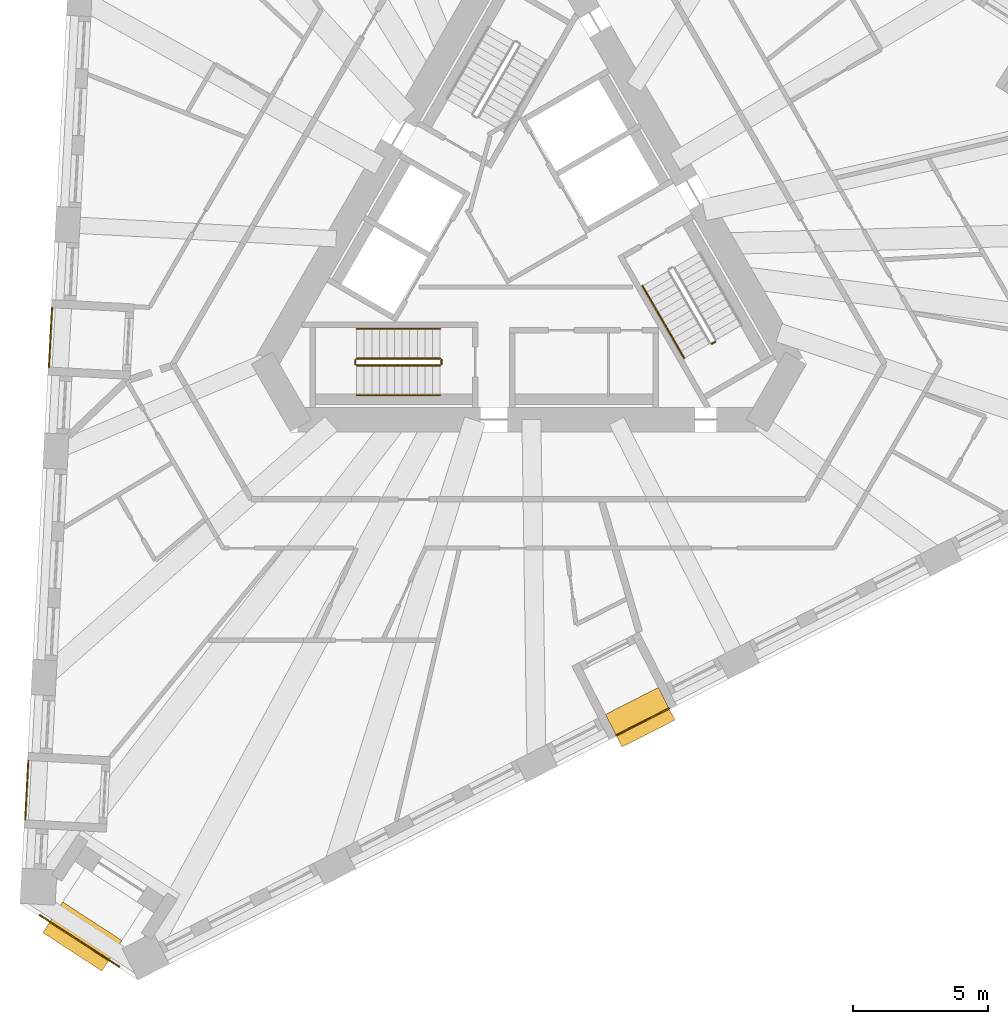
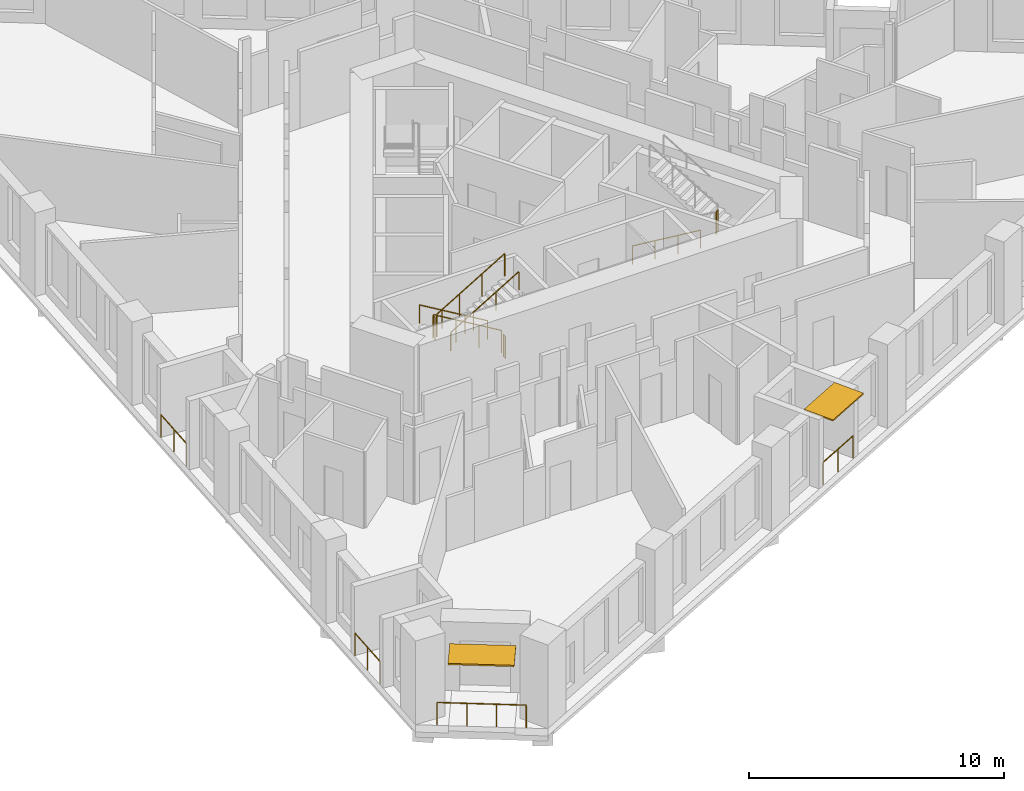
# One storey, part 10 of 13: 12 railings, 2 shading devices.
"""IFC4 building model written with IfcOpenShell, lengths in metres."""

import ifcopenshell
import ifcopenshell.guid

model = None  # the IFC model being written
_history = None  # IfcOwnerHistory: only IFC2X3 demands one
_inside = {}  # id of a spatial element -> (the spatial element, [elements in it])
_under = {}  # id of a project, library or spatial element -> (it, [spatial elements below it])
_declared = {}  # id of a project -> (the project, [libraries it declares])
_typed = {}  # id of a type object -> (the type object, [elements of that type])
_made_of = {}  # id of a material, layer set ... -> (it, [elements and type objects made of it])


def new_model(schema):
    """Start an empty IFC model of exactly this schema.

    Asked for "IFC4X3", IfcOpenShell would pick the latest addendum, in which some entities
    have other attributes; the version numbers below select the first issue.
    IFC2X3 requires an IfcOwnerHistory on every rooted entity: one is made here for all.
    """
    global model, _history
    if schema == "IFC4X3":
        model = ifcopenshell.file(schema_version=(4, 3, 0, 0))
    else:
        model = ifcopenshell.file(schema=schema)
    _inside.clear()
    _under.clear()
    _declared.clear()
    _typed.clear()
    _made_of.clear()
    _history = None
    if model.schema == "IFC2X3":
        org = make("IfcOrganization", Name="unknown")
        user = make(
            "IfcPersonAndOrganization",
            ThePerson=make("IfcPerson", FamilyName="unknown"),
            TheOrganization=org,
        )
        app = make(
            "IfcApplication",
            ApplicationDeveloper=org,
            Version="unknown",
            ApplicationFullName="unknown",
            ApplicationIdentifier="unknown",
        )
        _history = make(
            "IfcOwnerHistory",
            OwningUser=user,
            OwningApplication=app,
            ChangeAction="ADDED",
            CreationDate=0,
        )
    return model


def make(cls, **values):
    """One entity of the class cls with the attributes given. An attribute that is None is left unset."""
    return model.create_entity(
        cls, **{name: value for name, value in values.items() if value is not None}
    )


def rooted(cls, **values):
    """An entity with a GlobalId (a new one), such as an element, a storey or a relation."""
    return make(cls, GlobalId=ifcopenshell.guid.new(), OwnerHistory=_history, **values)


def si_unit(unit_type, name, prefix=None):
    """IfcSIUnit, for example si_unit("LENGTHUNIT", "METRE", prefix="MILLI")."""
    return make("IfcSIUnit", UnitType=unit_type, Prefix=prefix, Name=name)


def assignment(units):
    """IfcUnitAssignment: the units of a project."""
    return None if units is None else make("IfcUnitAssignment", Units=units)


def point(xyz):
    """IfcCartesianPoint."""
    return None if xyz is None else make("IfcCartesianPoint", Coordinates=xyz)


def direction(xyz):
    """IfcDirection."""
    return None if xyz is None else make("IfcDirection", DirectionRatios=xyz)


def frame(location, z_axis=None, x_axis=None):
    """IfcAxis2Placement3D, a coordinate frame: its origin and axes. An axis left out is left unset."""
    return make(
        "IfcAxis2Placement3D",
        Location=point(location),
        Axis=direction(z_axis),
        RefDirection=direction(x_axis),
    )


def frame_2d(location, x_axis=None):
    """IfcAxis2Placement2D, a coordinate frame in the plane: its origin and x axis."""
    return make(
        "IfcAxis2Placement2D", Location=point(location), RefDirection=direction(x_axis)
    )


def origin():
    """The frame at (0, 0, 0) with its axes left unset."""
    return frame((0.0, 0.0, 0.0))


def origin_2d():
    """The frame at (0, 0) in the plane with its x axis left unset."""
    return frame_2d((0.0, 0.0))


def place(relative_to, where):
    """IfcLocalPlacement: puts the frame where relative to a parent placement (None: the world)."""
    return make(
        "IfcLocalPlacement", PlacementRelTo=relative_to, RelativePlacement=where
    )


def context(
    kind, dimensions, precision=None, world=None, true_north=None, identifier=None
):
    """IfcGeometricRepresentationContext, for example the 3D "Model" context."""
    return make(
        "IfcGeometricRepresentationContext",
        ContextIdentifier=identifier,
        ContextType=kind,
        CoordinateSpaceDimension=dimensions,
        Precision=precision,
        WorldCoordinateSystem=world,
        TrueNorth=true_north,
    )


def subcontext(parent, identifier, kind, view, scale=None):
    """IfcGeometricRepresentationSubContext, for example "Body" below "Model"."""
    return make(
        "IfcGeometricRepresentationSubContext",
        ContextIdentifier=identifier,
        ContextType=kind,
        ParentContext=parent,
        TargetScale=scale,
        TargetView=view,
    )


def project(units=None, contexts=None):
    """IfcProject with its units and contexts."""
    return rooted(
        "IfcProject",
        Name="project",
        RepresentationContexts=contexts,
        UnitsInContext=assignment(units),
    )


def spatial(cls, under=None, at=None, **own):
    """A site, building, storey or space (cls), placed at a placement, below another one or the project."""
    s = rooted(cls, ObjectPlacement=at, **own)
    if under is not None:
        _under.setdefault(under.id(), (under, []))[1].append(s)
    return s


def profile(cls, at=None, kind="AREA", **sizes):
    """A parametric profile (cls). Its sizes go by their IFC names, for example OverallWidth=200.0."""
    return make(cls, ProfileType=kind, Position=at, **sizes)


def rectangle(**sizes):
    """IfcRectangleProfileDef."""
    return profile("IfcRectangleProfileDef", **sizes)


def circle(**sizes):
    """IfcCircleProfileDef."""
    return profile("IfcCircleProfileDef", **sizes)


def extrude(swept, where, along, depth):
    """IfcExtrudedAreaSolid: the profile swept, set in the frame where, extruded along a direction by depth."""
    return make(
        "IfcExtrudedAreaSolid",
        SweptArea=swept,
        Position=where,
        ExtrudedDirection=direction(along),
        Depth=depth,
    )


def shape(context_of_items, identifier, shape_type, items):
    """IfcShapeRepresentation: the items that make up one representation, for example the "Body"."""
    return make(
        "IfcShapeRepresentation",
        ContextOfItems=context_of_items,
        RepresentationIdentifier=identifier,
        RepresentationType=shape_type,
        Items=items,
    )


def material(Name=None, Category=None):
    """IfcMaterial."""
    return make("IfcMaterial", Name=Name, Category=Category)


def layer(
    of_material, thickness, ventilated=None, Name=None, Category=None, Priority=None
):
    """IfcMaterialLayer: one layer of a wall or slab, of a material (None: an air gap)."""
    return make(
        "IfcMaterialLayer",
        Material=of_material,
        LayerThickness=thickness,
        IsVentilated=ventilated,
        Name=Name,
        Category=Category,
        Priority=Priority,
    )


def layer_set(layers, Name=None):
    """IfcMaterialLayerSet."""
    return make("IfcMaterialLayerSet", MaterialLayers=layers, LayerSetName=Name)


def made_of(thing, what):
    """Note that an element or type object is made of a material, layer set ...; save() writes the relation."""
    if what is not None:
        _made_of.setdefault(what.id(), (what, []))[1].append(thing)
    return thing


def type_object(cls, material=None, **own):
    """A type object (cls), such as IfcWallType, which elements share."""
    return made_of(rooted(cls, **own), material)


def element(
    cls,
    number,
    at=None,
    inside=None,
    cuts=None,
    type_object=None,
    material=None,
    context=None,
    identifier="Body",
    shape_type=None,
    held_by="IfcProductDefinitionShape",
    body=None,
    shapes=None,
    **own,
):
    """One element of the class cls, such as IfcWall. Its Tag is "e" and its number.

    at: its placement. inside: the storey or other place that contains it. cuts: it is an
    opening in that element (IfcRelVoidsElement). A single representation is given by context,
    identifier, shape_type and body (its items); several are given by shapes. held_by: the class
    of the entity that holds the representations. save() writes the other relations.
    """
    e = rooted(cls, Tag="e%d" % number, ObjectPlacement=at, **own)
    if body is not None:
        shapes = [shape(context, identifier, shape_type, body)]
    if shapes is not None:
        e.Representation = make(held_by, Representations=shapes)
    if inside is not None:
        _inside.setdefault(inside.id(), (inside, []))[1].append(e)
    if cuts is not None:
        rooted(
            "IfcRelVoidsElement", RelatingBuildingElement=cuts, RelatedOpeningElement=e
        )
    if type_object is not None:
        _typed.setdefault(type_object.id(), (type_object, []))[1].append(e)
    return made_of(e, material)


def aggregate(whole, parts):
    """IfcRelAggregates: a whole, such as a stair, and the parts it consists of."""
    return rooted("IfcRelAggregates", RelatingObject=whole, RelatedObjects=parts)


def save(model, path):
    """Write the relations noted so far, then the file.

    IfcRelAggregates (storeys below a building ...), IfcRelContainedInSpatialStructure (elements
    in a storey), IfcRelDefinesByType, IfcRelAssociatesMaterial and IfcRelDeclares: one each for
    every whole, place, type object, material and project.
    """
    for whole, parts in _under.values():
        aggregate(whole, parts)
    for where, things in _inside.values():
        rooted(
            "IfcRelContainedInSpatialStructure",
            RelatedElements=things,
            RelatingStructure=where,
        )
    for kind, things in _typed.values():
        rooted("IfcRelDefinesByType", RelatedObjects=things, RelatingType=kind)
    for what, things in _made_of.values():
        rooted("IfcRelAssociatesMaterial", RelatedObjects=things, RelatingMaterial=what)
    for by, libraries in _declared.values():
        rooted("IfcRelDeclares", RelatingContext=by, RelatedDefinitions=libraries)
    model.write(path)


model = new_model("IFC4")

# Units and contexts
model_context = context("Model", 3, precision=1e-05, world=origin(), true_north=direction((0.0, 1.0)))
body_context = subcontext(model_context, "Body", "Model", "MODEL_VIEW")
ifc_project = project(units=[si_unit("LENGTHUNIT", "METRE"), si_unit("AREAUNIT", "SQUARE_METRE"), si_unit("VOLUMEUNIT", "CUBIC_METRE"), si_unit("PLANEANGLEUNIT", "RADIAN"), si_unit("MASSUNIT", "GRAM", prefix="KILO")], contexts=[model_context])

# Site, building, storey
site_placement = place(None, origin())
site = spatial("IfcSite", under=ifc_project, at=site_placement, CompositionType="ELEMENT")
building_placement = place(site_placement, origin())
building = spatial("IfcBuilding", under=site, at=building_placement, Name="Tramontana Tower", CompositionType="ELEMENT")
storey_placement = place(building_placement, frame((0.0, 0.0, 145.60009765625)))
storey = spatial("IfcBuildingStorey", under=building, at=storey_placement, Name="L33", CompositionType="ELEMENT", Elevation=145.60009765625)

# Railings
ifc_material_1 = material(Name="Laminated glass balustrade", Category="glass")
railing_type_1 = type_object("IfcRailingType", Name="GD1 Loggia glass balustrade 1100", PredefinedType="BALUSTRADE", material=ifc_material_1)
for number, where, name in (
    (1, (-17.60791015625, -2.171875, 0.0), "Loggia balustrade L33 G3S0.10"),
    (2, (-18.484130859375, -18.89208984375, 0.0), "Loggia balustrade L33 G3S0.16"),
):
    element("IfcRailing", number, at=place(storey_placement, frame(where)), inside=storey, type_object=railing_type_1, Name=name, PredefinedType="BALUSTRADE", context=body_context, shape_type="SweptSolid", body=[
        extrude(circle(Radius=0.02392578125, at=origin_2d()), frame((0.0, 0.0, 1.076171875), z_axis=(-0.052266372167, -0.998633179071, 0.0), x_axis=(0.998633179071, -0.052266372167, 0.0)), (0.0, 0.0, 1.0), 2.190673828125),
        extrude(circle(Radius=0.02099609375, at=origin_2d()), origin(), (0.0, 0.0, 1.0), 1.052001953125),
        extrude(circle(Radius=0.02099609375, at=origin_2d()), frame((-0.05712890625, -1.09375, 0.0)), (0.0, 0.0, 1.0), 1.052001953125),
        extrude(circle(Radius=0.02099609375, at=origin_2d()), frame((-0.114501953125, -2.187744140625, 0.0)), (0.0, 0.0, 1.0), 1.052001953125),
    ])
railing_1_placement = place(storey_placement, frame((3.225830078125, -17.96337890625, 0.0)))
element("IfcRailing", 3, at=railing_1_placement, inside=storey, type_object=railing_type_1, Name="Loggia balustrade L33 G3S1.7", PredefinedType="BALUSTRADE", context=body_context, shape_type="SweptSolid", body=[
    extrude(circle(Radius=0.02392578125, at=origin_2d()), frame((0.0, 0.0, 1.076171875), z_axis=(0.891013126725, 0.4539775413, 0.0), x_axis=(-0.4539775413, 0.891013126725, 0.0)), (0.0, 0.0, 1.0), 2.1904296875),
    extrude(circle(Radius=0.02099609375, at=origin_2d()), origin(), (0.0, 0.0, 1.0), 1.052001953125),
    extrude(circle(Radius=0.02099609375, at=origin_2d()), frame((0.975830078125, 0.4970703125, 0.0)), (0.0, 0.0, 1.0), 1.052001953125),
    extrude(circle(Radius=0.02099609375, at=origin_2d()), frame((1.95166015625, 0.994384765625, 0.0)), (0.0, 0.0, 1.0), 1.052001953125),
])
railing_2_placement = place(storey_placement, frame((-15.12744140625, -26.50732421875, 0.0)))
element("IfcRailing", 4, at=railing_2_placement, inside=storey, type_object=railing_type_1, Name="Corner loggia balustrade L33 K31", PredefinedType="BALUSTRADE", context=body_context, shape_type="SweptSolid", body=[
    extrude(circle(Radius=0.02392578125, at=origin_2d()), frame((0.0, 0.0, 1.076171875), z_axis=(-0.838665071449, 0.544647498784, 0.0), x_axis=(-0.544647498784, -0.838665071449, 0.0)), (0.0, 0.0, 1.0), 3.5),
    extrude(circle(Radius=0.02099609375, at=origin_2d()), origin(), (0.0, 0.0, 1.0), 1.052001953125),
    extrude(circle(Radius=0.02099609375, at=origin_2d()), frame((-0.978515625, 0.635498046875, 0.0)), (0.0, 0.0, 1.0), 1.052001953125),
    extrude(circle(Radius=0.02099609375, at=origin_2d()), frame((-1.956787109375, 1.270751953125, 0.0)), (0.0, 0.0, 1.0), 1.052001953125),
    extrude(circle(Radius=0.02099609375, at=origin_2d()), frame((-2.935302734375, 1.90625, 0.0)), (0.0, 0.0, 1.0), 1.052001953125),
])

# Shading devices
ifc_material_2 = material(Name="Precast concrete 60 MPa", Category="concrete")
ifc_layer_1 = layer(ifc_material_2, 0.06005859375)
ifc_layer_set_1 = layer_set([ifc_layer_1], Name="SS1 Stone sunshade blade 60")
shading_device_type_1 = type_object("IfcShadingDeviceType", Name="SS1 Stone sunshade blade 60", PredefinedType="USERDEFINED", material=ifc_layer_set_1)
shading_device_1_placement = place(storey_placement, frame((4.113037109375, -17.29248046875, 3.239990234375), z_axis=(0.0, 0.0, 1.0), x_axis=(0.891006524188, 0.45399049974, 0.0)))
element("IfcShadingDevice", 5, at=shading_device_1_placement, inside=storey, type_object=shading_device_type_1, Name="Sunshade L33 G3S1.7", ObjectType="SUNSHADE", PredefinedType="USERDEFINED", context=body_context, shape_type="SweptSolid", body=[
    extrude(rectangle(XDim=2.1904296875, YDim=1.35009765625, at=origin_2d()), origin(), (0.0, 0.0, 1.0), 0.06005859375),
])
ifc_material_3 = material(Name="Precast concrete 60 MPa", Category="concrete")
ifc_layer_2 = layer(ifc_material_3, 0.070068359375)
ifc_layer_set_2 = layer_set([ifc_layer_2], Name="SS2 Stone sunshade blade 70")
shading_device_type_2 = type_object("IfcShadingDeviceType", Name="SS2 Stone sunshade blade 70", PredefinedType="USERDEFINED", material=ifc_layer_set_2)
shading_device_2_placement = place(storey_placement, frame((-16.489013671875, -25.390869140625, 3.22998046875), z_axis=(0.0, 0.0, 1.0), x_axis=(-0.838670567945, 0.544639035015, 0.0)))
element("IfcShadingDevice", 6, at=shading_device_2_placement, inside=storey, type_object=shading_device_type_2, Name="Corner sunshade L33 K31", ObjectType="SUNSHADE", PredefinedType="USERDEFINED", context=body_context, shape_type="SweptSolid", body=[
    extrude(rectangle(XDim=2.60009765625, YDim=1.35009765625, at=origin_2d()), origin(), (0.0, 0.0, 1.0), 0.070068359375),
])

# Railings
ifc_material_4 = material(Name="Painted steel", Category="steel")
railing_type_2 = type_object("IfcRailingType", Name="STAIR GUARD 1100", PredefinedType="GUARDRAIL", material=ifc_material_4)
railing_3_placement = place(storey_placement, frame((-3.280029296875, -4.050048828125, 0.16650390625)))
element("IfcRailing", 7, at=railing_3_placement, inside=storey, type_object=railing_type_2, Name="L33 ST2 stair guard 1", PredefinedType="GUARDRAIL", context=body_context, shape_type="SweptSolid", body=[
    extrude(circle(Radius=0.02392578125, at=origin_2d()), frame((0.0, 0.0, 1.076171875), z_axis=(-0.85927862911, 0.0, 0.511507807912), x_axis=(0.0, -1.0, 0.0)), (0.0, 0.0, 1.0), 3.58447265625),
    extrude(circle(Radius=0.02099609375, at=origin_2d()), origin(), (0.0, 0.0, 1.0), 1.052001953125),
    extrude(circle(Radius=0.02099609375, at=origin_2d()), frame((-1.026611328125, 0.0, 0.611083984375)), (0.0, 0.0, 1.0), 1.052001953125),
    extrude(circle(Radius=0.02099609375, at=origin_2d()), frame((-2.053466796875, 0.0, 1.222412109375)), (0.0, 0.0, 1.0), 1.052001953125),
    extrude(circle(Radius=0.02099609375, at=origin_2d()), frame((-3.080078125, 0.0, 1.83349609375)), (0.0, 0.0, 1.0), 1.052001953125),
])
railing_4_placement = place(storey_placement, frame((-6.360107421875, -4.300048828125, 2.16650390625)))
element("IfcRailing", 8, at=railing_4_placement, inside=storey, type_object=railing_type_2, Name="L33 ST2 stair guard 2", PredefinedType="GUARDRAIL", context=body_context, shape_type="SweptSolid", body=[
    extrude(circle(Radius=0.02392578125, at=origin_2d()), frame((0.0, 0.0, 1.076171875), z_axis=(0.85927862911, 0.0, 0.511507807912), x_axis=(0.0, 1.0, 0.0)), (0.0, 0.0, 1.0), 3.58447265625),
    extrude(circle(Radius=0.02099609375, at=origin_2d()), origin(), (0.0, 0.0, 1.0), 1.052001953125),
    extrude(circle(Radius=0.02099609375, at=origin_2d()), frame((1.026611328125, 0.0, 0.611083984375)), (0.0, 0.0, 1.0), 1.052001953125),
    extrude(circle(Radius=0.02099609375, at=origin_2d()), frame((2.053466796875, 0.0, 1.222412109375)), (0.0, 0.0, 1.0), 1.052001953125),
    extrude(circle(Radius=0.02099609375, at=origin_2d()), frame((3.080078125, 0.0, 1.83349609375)), (0.0, 0.0, 1.0), 1.052001953125),
])
for number, where, name in (
    (9, (-6.409912109375, -4.10009765625, 2.0), "L33 ST2 stair guard 3"),
    (10, (-3.22998046875, -4.10009765625, 0.0), "L33 ST2 stair guard 4"),
):
    element("IfcRailing", number, at=place(storey_placement, frame(where)), inside=storey, type_object=railing_type_2, Name=name, PredefinedType="GUARDRAIL", context=body_context, shape_type="SweptSolid", body=[
        extrude(circle(Radius=0.02392578125, at=origin_2d()), frame((0.0, 0.0, 1.076171875), z_axis=(0.0, -1.0, 0.0), x_axis=(1.0, 0.0, 0.0)), (0.0, 0.0, 1.0), 0.14990234375),
        extrude(circle(Radius=0.02099609375, at=origin_2d()), origin(), (0.0, 0.0, 1.0), 1.052001953125),
        extrude(circle(Radius=0.02099609375, at=origin_2d()), frame((0.0, -0.14990234375, 0.0)), (0.0, 0.0, 1.0), 1.052001953125),
    ])
railing_5_placement = place(storey_placement, frame((6.755615234375, -3.501220703125, 2.0)))
element("IfcRailing", 11, at=railing_5_placement, inside=storey, type_object=railing_type_2, Name="L33 ST3 stair guard 3", PredefinedType="GUARDRAIL", context=body_context, shape_type="SweptSolid", body=[
    extrude(circle(Radius=0.02392578125, at=origin_2d()), frame((0.0, 0.0, 1.076171875), z_axis=(0.866131372301, 0.499816412211, 0.0), x_axis=(-0.499816412211, 0.866131372301, 0.0)), (0.0, 0.0, 1.0), 0.14990234375),
    extrude(circle(Radius=0.02099609375, at=origin_2d()), origin(), (0.0, 0.0, 1.0), 1.052001953125),
    extrude(circle(Radius=0.02099609375, at=origin_2d()), frame((0.1298828125, 0.074951171875, 0.0)), (0.0, 0.0, 1.0), 1.052001953125),
])
ifc_material_5 = material(Name="Painted steel", Category="steel")
railing_type_3 = type_object("IfcRailingType", Name="STAIR HANDRAIL 900", PredefinedType="HANDRAIL", material=ifc_material_5)
railing_6_placement = place(storey_placement, frame((-3.280029296875, -2.949951171875, 0.16650390625)))
element("IfcRailing", 12, at=railing_6_placement, inside=storey, type_object=railing_type_3, Name="L33 ST2 stair handrail 1", PredefinedType="HANDRAIL", context=body_context, shape_type="SweptSolid", body=[
    extrude(circle(Radius=0.02392578125, at=origin_2d()), frame((0.0, 0.0, 0.8759765625), z_axis=(-0.85927862911, 0.0, 0.511507807912), x_axis=(0.0, -1.0, 0.0)), (0.0, 0.0, 1.0), 3.58447265625),
    extrude(circle(Radius=0.02099609375, at=origin_2d()), origin(), (0.0, 0.0, 1.0), 0.851806640625),
    extrude(circle(Radius=0.02099609375, at=origin_2d()), frame((-1.026611328125, 0.0, 0.611083984375)), (0.0, 0.0, 1.0), 0.851806640625),
    extrude(circle(Radius=0.02099609375, at=origin_2d()), frame((-2.053466796875, 0.0, 1.222412109375)), (0.0, 0.0, 1.0), 0.851806640625),
    extrude(circle(Radius=0.02099609375, at=origin_2d()), frame((-3.080078125, 0.0, 1.83349609375)), (0.0, 0.0, 1.0), 0.851806640625),
])
railing_7_placement = place(storey_placement, frame((-6.360107421875, -5.39990234375, 2.16650390625)))
element("IfcRailing", 13, at=railing_7_placement, inside=storey, type_object=railing_type_3, Name="L33 ST2 stair handrail 2", PredefinedType="HANDRAIL", context=body_context, shape_type="SweptSolid", body=[
    extrude(circle(Radius=0.02392578125, at=origin_2d()), frame((0.0, 0.0, 0.8759765625), z_axis=(0.85927862911, 0.0, 0.511507807912), x_axis=(0.0, 1.0, 0.0)), (0.0, 0.0, 1.0), 3.58447265625),
    extrude(circle(Radius=0.02099609375, at=origin_2d()), origin(), (0.0, 0.0, 1.0), 0.851806640625),
    extrude(circle(Radius=0.02099609375, at=origin_2d()), frame((1.026611328125, 0.0, 0.611083984375)), (0.0, 0.0, 1.0), 0.851806640625),
    extrude(circle(Radius=0.02099609375, at=origin_2d()), frame((2.053466796875, 0.0, 1.222412109375)), (0.0, 0.0, 1.0), 0.851806640625),
    extrude(circle(Radius=0.02099609375, at=origin_2d()), frame((3.080078125, 0.0, 1.83349609375)), (0.0, 0.0, 1.0), 0.851806640625),
])
railing_8_placement = place(storey_placement, frame((4.19482421875, -1.365478515625, 0.16650390625)))
element("IfcRailing", 14, at=railing_8_placement, inside=storey, type_object=railing_type_3, Name="L33 ST3 stair handrail 1", PredefinedType="HANDRAIL", context=body_context, shape_type="SweptSolid", body=[
    extrude(circle(Radius=0.02392578125, at=origin_2d()), frame((0.0, 0.0, 0.8759765625), z_axis=(0.429634447492, -0.7441639146, 0.511502013422), x_axis=(0.866029832698, 0.499992328818, 0.0)), (0.0, 0.0, 1.0), 3.58447265625),
    extrude(circle(Radius=0.02099609375, at=origin_2d()), origin(), (0.0, 0.0, 1.0), 0.851806640625),
    extrude(circle(Radius=0.02099609375, at=origin_2d()), frame((0.513427734375, -0.88916015625, 0.611083984375)), (0.0, 0.0, 1.0), 0.851806640625),
    extrude(circle(Radius=0.02099609375, at=origin_2d()), frame((1.026611328125, -1.7783203125, 1.222412109375)), (0.0, 0.0, 1.0), 0.851806640625),
    extrude(circle(Radius=0.02099609375, at=origin_2d()), frame((1.5400390625, -2.66748046875, 1.83349609375)), (0.0, 0.0, 1.0), 0.851806640625),
])

save(model, "model.ifc")
